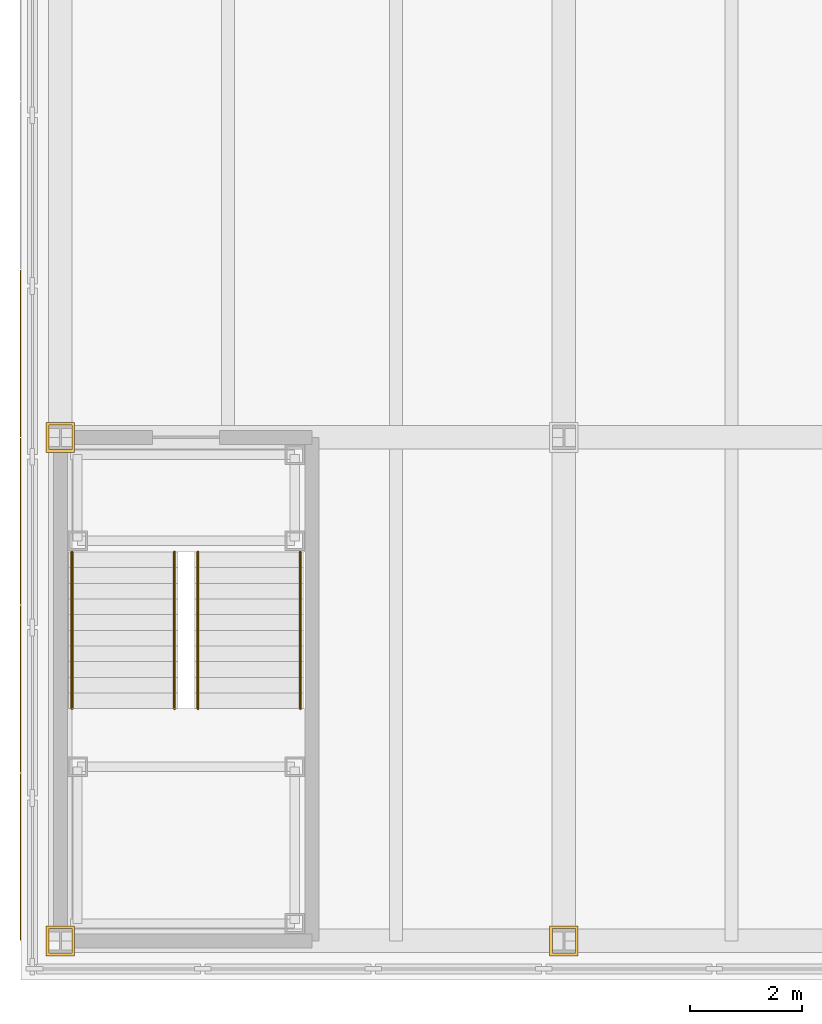
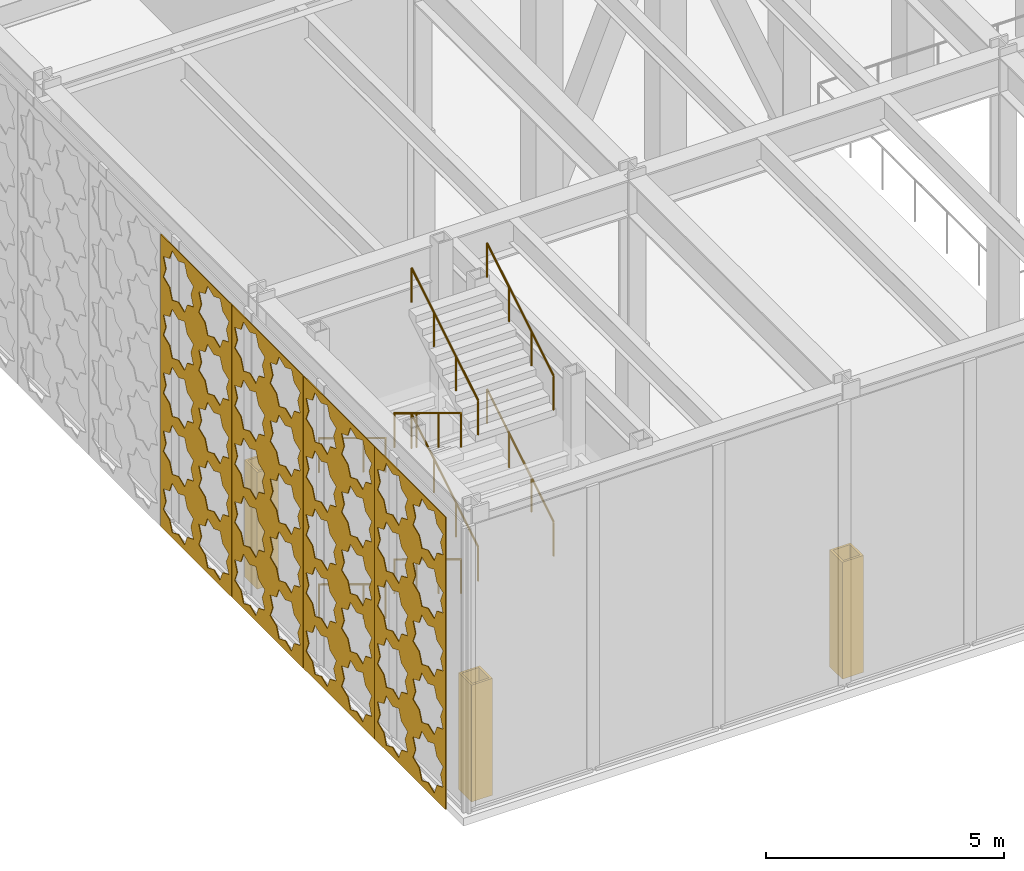
# One storey, part 24 of 34: 8 railings, 4 shading devices, 3 coverings.
"""IFC4 building model written with IfcOpenShell, lengths in metres."""

from ifc_helpers import new_model, si_unit, direction, frame, origin, origin_2d, place, context, subcontext, project, spatial, polyline, circle, outline, extrude, material, layer, layer_set, type_object, element, save


model = new_model("IFC4")

# Units and contexts
model_context = context("Model", 3, precision=1e-05, world=origin(), true_north=direction((0.0, 1.0)))
body_context = subcontext(model_context, "Body", "Model", "MODEL_VIEW")
ifc_project = project(units=[si_unit("LENGTHUNIT", "METRE"), si_unit("AREAUNIT", "SQUARE_METRE"), si_unit("VOLUMEUNIT", "CUBIC_METRE"), si_unit("PLANEANGLEUNIT", "RADIAN"), si_unit("MASSUNIT", "GRAM", prefix="KILO")], contexts=[model_context])

# Site, building, storey
site_placement = place(None, origin())
site = spatial("IfcSite", under=ifc_project, at=site_placement, CompositionType="ELEMENT")
building_placement = place(site_placement, origin())
building = spatial("IfcBuilding", under=site, at=building_placement, Name="Chuquiago Exchange Tower", CompositionType="ELEMENT")
storey_placement = place(building_placement, frame((0.0, 0.0, 6.0)))
storey = spatial("IfcBuildingStorey", under=building, at=storey_placement, Name="L01", CompositionType="ELEMENT", Elevation=6.0)

# Coverings
ifc_material_1 = material(Name="Pale metal sheet casing on rails", Category="aluminium")
ifc_layer_1 = layer(ifc_material_1, 0.050048828125)
ifc_layer_set_1 = layer_set([ifc_layer_1], Name="CS1 column casing 50")
covering_type = type_object("IfcCoveringType", Name="CS1 column casing 50", PredefinedType="CLADDING", material=ifc_layer_set_1)
covering_1_placement = place(storey_placement, origin())
element("IfcCovering", 1, at=covering_1_placement, inside=storey, type_object=covering_type, Name="Column casing L01", PredefinedType="CLADDING", context=body_context, shape_type="SweptSolid", body=[
    extrude(outline(polyline([(-9.255615234375, -18.26708984375), (-8.744384765625, -18.26708984375), (-8.744384765625, -17.73291015625), (-9.255615234375, -17.73291015625), (-9.255615234375, -18.26708984375)]), holes=[polyline([(-9.205810546875, -18.21728515625), (-9.205810546875, -17.78271484375), (-8.794189453125, -17.78271484375), (-8.794189453125, -18.21728515625), (-9.205810546875, -18.21728515625)])]), origin(), (0.0, 0.0, 1.0), 3.0),
])
covering_2_placement = place(storey_placement, origin())
element("IfcCovering", 2, at=covering_2_placement, inside=storey, type_object=covering_type, Name="Column casing L01", PredefinedType="CLADDING", context=body_context, shape_type="SweptSolid", body=[
    extrude(outline(polyline([(-9.255615234375, -9.26708984375), (-8.744384765625, -9.26708984375), (-8.744384765625, -8.73291015625), (-9.255615234375, -8.73291015625), (-9.255615234375, -9.26708984375)]), holes=[polyline([(-9.205810546875, -9.21728515625), (-9.205810546875, -8.78271484375), (-8.794189453125, -8.78271484375), (-8.794189453125, -9.21728515625), (-9.205810546875, -9.21728515625)])]), origin(), (0.0, 0.0, 1.0), 3.0),
])
covering_3_placement = place(storey_placement, origin())
element("IfcCovering", 3, at=covering_3_placement, inside=storey, type_object=covering_type, Name="Column casing L01", PredefinedType="CLADDING", context=body_context, shape_type="SweptSolid", body=[
    extrude(outline(polyline([(-0.255615234375, -18.26708984375), (0.255615234375, -18.26708984375), (0.255615234375, -17.73291015625), (-0.255615234375, -17.73291015625), (-0.255615234375, -18.26708984375)]), holes=[polyline([(-0.205810546875, -18.21728515625), (-0.205810546875, -17.78271484375), (0.205810546875, -17.78271484375), (0.205810546875, -18.21728515625), (-0.205810546875, -18.21728515625)])]), origin(), (0.0, 0.0, 1.0), 3.0),
])

# Railings
ifc_material_2 = material(Name="Pale metal handrail", Category="steel")
railing_type = type_object("IfcRailingType", Name="HR1 handrail 900", PredefinedType="HANDRAIL", material=ifc_material_2)
for number, where, name in (
    (4, (-8.7900390625, -11.050048828125, 0.17041015625), "Handrail PS1 L01 flight 1"),
    (5, (-6.9599609375, -11.050048828125, 0.17041015625), "Handrail PS1 L01 flight 1"),
):
    element("IfcRailing", number, at=place(storey_placement, frame(where)), inside=storey, type_object=railing_type, Name=name, PredefinedType="HANDRAIL", context=body_context, shape_type="SweptSolid", body=[
        extrude(circle(Radius=0.02392578125, at=origin_2d()), frame((0.0, 0.0, 0.8759765625), z_axis=(0.0, -0.854169791009, 0.51999420009), x_axis=(1.0, 0.0, 0.0)), (0.0, 0.0, 1.0), 3.278076171875),
        extrude(circle(Radius=0.02099609375, at=origin_2d()), origin(), (0.0, 0.0, 1.0), 0.851806640625),
        extrude(circle(Radius=0.02099609375, at=origin_2d()), frame((0.0, -0.933349609375, 0.568115234375)), (0.0, 0.0, 1.0), 0.851806640625),
        extrude(circle(Radius=0.02099609375, at=origin_2d()), frame((0.0, -1.86669921875, 1.136474609375)), (0.0, 0.0, 1.0), 0.851806640625),
        extrude(circle(Radius=0.02099609375, at=origin_2d()), frame((0.0, -2.800048828125, 1.70458984375)), (0.0, 0.0, 1.0), 0.851806640625),
    ])
for number, where, name in (
    (6, (-4.7099609375, -13.85009765625, 2.04541015625), "Handrail PS1 L01 flight 2"),
    (7, (-6.5400390625, -13.85009765625, 2.04541015625), "Handrail PS1 L01 flight 2"),
):
    element("IfcRailing", number, at=place(storey_placement, frame(where)), inside=storey, type_object=railing_type, Name=name, PredefinedType="HANDRAIL", context=body_context, shape_type="SweptSolid", body=[
        extrude(circle(Radius=0.02392578125, at=origin_2d()), frame((0.0, 0.0, 0.8759765625), z_axis=(0.0, 0.854169791009, 0.51999420009), x_axis=(-1.0, 0.0, 0.0)), (0.0, 0.0, 1.0), 3.278076171875),
        extrude(circle(Radius=0.02099609375, at=origin_2d()), origin(), (0.0, 0.0, 1.0), 0.851806640625),
        extrude(circle(Radius=0.02099609375, at=origin_2d()), frame((0.0, 0.933349609375, 0.568115234375)), (0.0, 0.0, 1.0), 0.851806640625),
        extrude(circle(Radius=0.02099609375, at=origin_2d()), frame((0.0, 1.86669921875, 1.136474609375)), (0.0, 0.0, 1.0), 0.851806640625),
        extrude(circle(Radius=0.02099609375, at=origin_2d()), frame((0.0, 2.800048828125, 1.70458984375)), (0.0, 0.0, 1.0), 0.851806640625),
    ])
for number, where, name in (
    (8, (-8.7900390625, -11.050048828125, 3.92041015625), "Handrail PS1 L01 flight 3"),
    (9, (-6.9599609375, -11.050048828125, 3.92041015625), "Handrail PS1 L01 flight 3"),
):
    element("IfcRailing", number, at=place(storey_placement, frame(where)), inside=storey, type_object=railing_type, Name=name, PredefinedType="HANDRAIL", context=body_context, shape_type="SweptSolid", body=[
        extrude(circle(Radius=0.02392578125, at=origin_2d()), frame((0.0, 0.0, 0.8759765625), z_axis=(0.0, -0.854169791009, 0.51999420009), x_axis=(1.0, 0.0, 0.0)), (0.0, 0.0, 1.0), 3.278076171875),
        extrude(circle(Radius=0.02099609375, at=origin_2d()), origin(), (0.0, 0.0, 1.0), 0.851806640625),
        extrude(circle(Radius=0.02099609375, at=origin_2d()), frame((0.0, -0.933349609375, 0.568115234375)), (0.0, 0.0, 1.0), 0.851806640625),
        extrude(circle(Radius=0.02099609375, at=origin_2d()), frame((0.0, -1.86669921875, 1.136474609375)), (0.0, 0.0, 1.0), 0.851806640625),
        extrude(circle(Radius=0.02099609375, at=origin_2d()), frame((0.0, -2.800048828125, 1.70458984375)), (0.0, 0.0, 1.0), 0.851806640625),
    ])
for number, where, name in (
    (10, (-4.7099609375, -13.85009765625, 5.79541015625), "Handrail PS1 L01 flight 4"),
    (11, (-6.5400390625, -13.85009765625, 5.79541015625), "Handrail PS1 L01 flight 4"),
):
    element("IfcRailing", number, at=place(storey_placement, frame(where)), inside=storey, type_object=railing_type, Name=name, PredefinedType="HANDRAIL", context=body_context, shape_type="SweptSolid", body=[
        extrude(circle(Radius=0.02392578125, at=origin_2d()), frame((0.0, 0.0, 0.8759765625), z_axis=(0.0, 0.854169791009, 0.51999420009), x_axis=(-1.0, 0.0, 0.0)), (0.0, 0.0, 1.0), 3.278076171875),
        extrude(circle(Radius=0.02099609375, at=origin_2d()), origin(), (0.0, 0.0, 1.0), 0.851806640625),
        extrude(circle(Radius=0.02099609375, at=origin_2d()), frame((0.0, 0.933349609375, 0.568115234375)), (0.0, 0.0, 1.0), 0.851806640625),
        extrude(circle(Radius=0.02099609375, at=origin_2d()), frame((0.0, 1.86669921875, 1.136474609375)), (0.0, 0.0, 1.0), 0.851806640625),
        extrude(circle(Radius=0.02099609375, at=origin_2d()), frame((0.0, 2.800048828125, 1.70458984375)), (0.0, 0.0, 1.0), 0.851806640625),
    ])

# Shading devices
ifc_material_3 = material(Name="Pale metal, perforated in an eight-point star pattern", Category="aluminium")
ifc_layer_2 = layer(ifc_material_3, 0.02001953125)
ifc_layer_set_2 = layer_set([ifc_layer_2], Name="SC1 mashrabiya screen 20")
shading_device_type = type_object("IfcShadingDeviceType", Name="SC1 mashrabiya screen 20", PredefinedType="SHUTTER", material=ifc_layer_set_2)
shading_device_1_placement = place(storey_placement, frame((-9.699951171875, -15.010009765625, -0.199951171875), z_axis=(0.0, 0.0, 1.0), x_axis=(0.0, -1.0, 0.0)))
element("IfcShadingDevice", 12, at=shading_device_1_placement, inside=storey, type_object=shading_device_type, Name="Mashrabiya screen L01 W 1", PredefinedType="SHUTTER", context=body_context, shape_type="SweptSolid", body=[
    extrude(outline(polyline([(0.0, 0.0), (2.97998046875, 0.0), (2.97998046875, 7.5), (0.0, 7.5), (0.0, 0.0)]), holes=[polyline([(1.26953125, 0.77001953125), (1.378173828125, 1.0322265625), (1.115966796875, 1.140869140625), (1.00732421875, 1.403076171875), (0.7451171875, 1.29443359375), (0.482666015625, 1.403076171875), (0.3740234375, 1.140869140625), (0.11181640625, 1.0322265625), (0.220458984375, 0.77001953125), (0.11181640625, 0.507568359375), (0.3740234375, 0.39892578125), (0.482666015625, 0.13671875), (0.7451171875, 0.245361328125), (1.00732421875, 0.13671875), (1.115966796875, 0.39892578125), (1.378173828125, 0.507568359375), (1.26953125, 0.77001953125)]), polyline([(2.759521484375, 0.77001953125), (2.8681640625, 1.0322265625), (2.60595703125, 1.140869140625), (2.497314453125, 1.403076171875), (2.235107421875, 1.29443359375), (1.97265625, 1.403076171875), (1.864013671875, 1.140869140625), (1.601806640625, 1.0322265625), (1.71044921875, 0.77001953125), (1.601806640625, 0.507568359375), (1.864013671875, 0.39892578125), (1.97265625, 0.13671875), (2.235107421875, 0.245361328125), (2.497314453125, 0.13671875), (2.60595703125, 0.39892578125), (2.8681640625, 0.507568359375), (2.759521484375, 0.77001953125)]), polyline([(1.26953125, 2.260009765625), (1.378173828125, 2.522216796875), (1.115966796875, 2.630859375), (1.00732421875, 2.89306640625), (0.7451171875, 2.78466796875), (0.482666015625, 2.89306640625), (0.3740234375, 2.630859375), (0.11181640625, 2.522216796875), (0.220458984375, 2.260009765625), (0.11181640625, 1.99755859375), (0.3740234375, 1.888916015625), (0.482666015625, 1.626708984375), (0.7451171875, 1.7353515625), (1.00732421875, 1.626708984375), (1.115966796875, 1.888916015625), (1.378173828125, 1.99755859375), (1.26953125, 2.260009765625)]), polyline([(2.759521484375, 2.260009765625), (2.8681640625, 2.522216796875), (2.60595703125, 2.630859375), (2.497314453125, 2.89306640625), (2.235107421875, 2.78466796875), (1.97265625, 2.89306640625), (1.864013671875, 2.630859375), (1.601806640625, 2.522216796875), (1.71044921875, 2.260009765625), (1.601806640625, 1.99755859375), (1.864013671875, 1.888916015625), (1.97265625, 1.626708984375), (2.235107421875, 1.7353515625), (2.497314453125, 1.626708984375), (2.60595703125, 1.888916015625), (2.8681640625, 1.99755859375), (2.759521484375, 2.260009765625)]), polyline([(1.26953125, 3.75), (1.378173828125, 4.01220703125), (1.115966796875, 4.120849609375), (1.00732421875, 4.383056640625), (0.7451171875, 4.274658203125), (0.482666015625, 4.383056640625), (0.3740234375, 4.120849609375), (0.11181640625, 4.01220703125), (0.220458984375, 3.75), (0.11181640625, 3.487548828125), (0.3740234375, 3.37890625), (0.482666015625, 3.11669921875), (0.7451171875, 3.225341796875), (1.00732421875, 3.11669921875), (1.115966796875, 3.37890625), (1.378173828125, 3.487548828125), (1.26953125, 3.75)]), polyline([(2.759521484375, 3.75), (2.8681640625, 4.01220703125), (2.60595703125, 4.120849609375), (2.497314453125, 4.383056640625), (2.235107421875, 4.274658203125), (1.97265625, 4.383056640625), (1.864013671875, 4.120849609375), (1.601806640625, 4.01220703125), (1.71044921875, 3.75), (1.601806640625, 3.487548828125), (1.864013671875, 3.37890625), (1.97265625, 3.11669921875), (2.235107421875, 3.225341796875), (2.497314453125, 3.11669921875), (2.60595703125, 3.37890625), (2.8681640625, 3.487548828125), (2.759521484375, 3.75)]), polyline([(1.26953125, 5.239990234375), (1.378173828125, 5.502197265625), (1.115966796875, 5.61083984375), (1.00732421875, 5.873046875), (0.7451171875, 5.7646484375), (0.482666015625, 5.873046875), (0.3740234375, 5.61083984375), (0.11181640625, 5.502197265625), (0.220458984375, 5.239990234375), (0.11181640625, 4.9775390625), (0.3740234375, 4.868896484375), (0.482666015625, 4.606689453125), (0.7451171875, 4.71533203125), (1.00732421875, 4.606689453125), (1.115966796875, 4.868896484375), (1.378173828125, 4.9775390625), (1.26953125, 5.239990234375)]), polyline([(2.759521484375, 5.239990234375), (2.8681640625, 5.502197265625), (2.60595703125, 5.61083984375), (2.497314453125, 5.873046875), (2.235107421875, 5.7646484375), (1.97265625, 5.873046875), (1.864013671875, 5.61083984375), (1.601806640625, 5.502197265625), (1.71044921875, 5.239990234375), (1.601806640625, 4.9775390625), (1.864013671875, 4.868896484375), (1.97265625, 4.606689453125), (2.235107421875, 4.71533203125), (2.497314453125, 4.606689453125), (2.60595703125, 4.868896484375), (2.8681640625, 4.9775390625), (2.759521484375, 5.239990234375)]), polyline([(1.26953125, 6.72998046875), (1.378173828125, 6.9921875), (1.115966796875, 7.100830078125), (1.00732421875, 7.363037109375), (0.7451171875, 7.254638671875), (0.482666015625, 7.363037109375), (0.3740234375, 7.100830078125), (0.11181640625, 6.9921875), (0.220458984375, 6.72998046875), (0.11181640625, 6.467529296875), (0.3740234375, 6.35888671875), (0.482666015625, 6.0966796875), (0.7451171875, 6.205322265625), (1.00732421875, 6.0966796875), (1.115966796875, 6.35888671875), (1.378173828125, 6.467529296875), (1.26953125, 6.72998046875)]), polyline([(2.759521484375, 6.72998046875), (2.8681640625, 6.9921875), (2.60595703125, 7.100830078125), (2.497314453125, 7.363037109375), (2.235107421875, 7.254638671875), (1.97265625, 7.363037109375), (1.864013671875, 7.100830078125), (1.601806640625, 6.9921875), (1.71044921875, 6.72998046875), (1.601806640625, 6.467529296875), (1.864013671875, 6.35888671875), (1.97265625, 6.0966796875), (2.235107421875, 6.205322265625), (2.497314453125, 6.0966796875), (2.60595703125, 6.35888671875), (2.8681640625, 6.467529296875), (2.759521484375, 6.72998046875)])]), frame((0.0, 0.0, 0.0), z_axis=(0.0, -1.0, 0.0), x_axis=(1.0, 0.0, 0.0)), (0.0, 0.0, 1.0), 0.02001953125),
])
shading_device_2_placement = place(storey_placement, frame((-9.699951171875, -12.010009765625, -0.199951171875), z_axis=(0.0, 0.0, 1.0), x_axis=(0.0, -1.0, 0.0)))
element("IfcShadingDevice", 13, at=shading_device_2_placement, inside=storey, type_object=shading_device_type, Name="Mashrabiya screen L01 W 2", PredefinedType="SHUTTER", context=body_context, shape_type="SweptSolid", body=[
    extrude(outline(polyline([(0.0, 0.0), (2.97998046875, 0.0), (2.97998046875, 7.5), (0.0, 7.5), (0.0, 0.0)]), holes=[polyline([(1.26953125, 0.77001953125), (1.378173828125, 1.0322265625), (1.115966796875, 1.140869140625), (1.00732421875, 1.403076171875), (0.7451171875, 1.29443359375), (0.482666015625, 1.403076171875), (0.3740234375, 1.140869140625), (0.11181640625, 1.0322265625), (0.220458984375, 0.77001953125), (0.11181640625, 0.507568359375), (0.3740234375, 0.39892578125), (0.482666015625, 0.13671875), (0.7451171875, 0.245361328125), (1.00732421875, 0.13671875), (1.115966796875, 0.39892578125), (1.378173828125, 0.507568359375), (1.26953125, 0.77001953125)]), polyline([(2.759521484375, 0.77001953125), (2.8681640625, 1.0322265625), (2.60595703125, 1.140869140625), (2.497314453125, 1.403076171875), (2.235107421875, 1.29443359375), (1.97265625, 1.403076171875), (1.864013671875, 1.140869140625), (1.601806640625, 1.0322265625), (1.71044921875, 0.77001953125), (1.601806640625, 0.507568359375), (1.864013671875, 0.39892578125), (1.97265625, 0.13671875), (2.235107421875, 0.245361328125), (2.497314453125, 0.13671875), (2.60595703125, 0.39892578125), (2.8681640625, 0.507568359375), (2.759521484375, 0.77001953125)]), polyline([(1.26953125, 2.260009765625), (1.378173828125, 2.522216796875), (1.115966796875, 2.630859375), (1.00732421875, 2.89306640625), (0.7451171875, 2.78466796875), (0.482666015625, 2.89306640625), (0.3740234375, 2.630859375), (0.11181640625, 2.522216796875), (0.220458984375, 2.260009765625), (0.11181640625, 1.99755859375), (0.3740234375, 1.888916015625), (0.482666015625, 1.626708984375), (0.7451171875, 1.7353515625), (1.00732421875, 1.626708984375), (1.115966796875, 1.888916015625), (1.378173828125, 1.99755859375), (1.26953125, 2.260009765625)]), polyline([(2.759521484375, 2.260009765625), (2.8681640625, 2.522216796875), (2.60595703125, 2.630859375), (2.497314453125, 2.89306640625), (2.235107421875, 2.78466796875), (1.97265625, 2.89306640625), (1.864013671875, 2.630859375), (1.601806640625, 2.522216796875), (1.71044921875, 2.260009765625), (1.601806640625, 1.99755859375), (1.864013671875, 1.888916015625), (1.97265625, 1.626708984375), (2.235107421875, 1.7353515625), (2.497314453125, 1.626708984375), (2.60595703125, 1.888916015625), (2.8681640625, 1.99755859375), (2.759521484375, 2.260009765625)]), polyline([(1.26953125, 3.75), (1.378173828125, 4.01220703125), (1.115966796875, 4.120849609375), (1.00732421875, 4.383056640625), (0.7451171875, 4.274658203125), (0.482666015625, 4.383056640625), (0.3740234375, 4.120849609375), (0.11181640625, 4.01220703125), (0.220458984375, 3.75), (0.11181640625, 3.487548828125), (0.3740234375, 3.37890625), (0.482666015625, 3.11669921875), (0.7451171875, 3.225341796875), (1.00732421875, 3.11669921875), (1.115966796875, 3.37890625), (1.378173828125, 3.487548828125), (1.26953125, 3.75)]), polyline([(2.759521484375, 3.75), (2.8681640625, 4.01220703125), (2.60595703125, 4.120849609375), (2.497314453125, 4.383056640625), (2.235107421875, 4.274658203125), (1.97265625, 4.383056640625), (1.864013671875, 4.120849609375), (1.601806640625, 4.01220703125), (1.71044921875, 3.75), (1.601806640625, 3.487548828125), (1.864013671875, 3.37890625), (1.97265625, 3.11669921875), (2.235107421875, 3.225341796875), (2.497314453125, 3.11669921875), (2.60595703125, 3.37890625), (2.8681640625, 3.487548828125), (2.759521484375, 3.75)]), polyline([(1.26953125, 5.239990234375), (1.378173828125, 5.502197265625), (1.115966796875, 5.61083984375), (1.00732421875, 5.873046875), (0.7451171875, 5.7646484375), (0.482666015625, 5.873046875), (0.3740234375, 5.61083984375), (0.11181640625, 5.502197265625), (0.220458984375, 5.239990234375), (0.11181640625, 4.9775390625), (0.3740234375, 4.868896484375), (0.482666015625, 4.606689453125), (0.7451171875, 4.71533203125), (1.00732421875, 4.606689453125), (1.115966796875, 4.868896484375), (1.378173828125, 4.9775390625), (1.26953125, 5.239990234375)]), polyline([(2.759521484375, 5.239990234375), (2.8681640625, 5.502197265625), (2.60595703125, 5.61083984375), (2.497314453125, 5.873046875), (2.235107421875, 5.7646484375), (1.97265625, 5.873046875), (1.864013671875, 5.61083984375), (1.601806640625, 5.502197265625), (1.71044921875, 5.239990234375), (1.601806640625, 4.9775390625), (1.864013671875, 4.868896484375), (1.97265625, 4.606689453125), (2.235107421875, 4.71533203125), (2.497314453125, 4.606689453125), (2.60595703125, 4.868896484375), (2.8681640625, 4.9775390625), (2.759521484375, 5.239990234375)]), polyline([(1.26953125, 6.72998046875), (1.378173828125, 6.9921875), (1.115966796875, 7.100830078125), (1.00732421875, 7.363037109375), (0.7451171875, 7.254638671875), (0.482666015625, 7.363037109375), (0.3740234375, 7.100830078125), (0.11181640625, 6.9921875), (0.220458984375, 6.72998046875), (0.11181640625, 6.467529296875), (0.3740234375, 6.35888671875), (0.482666015625, 6.0966796875), (0.7451171875, 6.205322265625), (1.00732421875, 6.0966796875), (1.115966796875, 6.35888671875), (1.378173828125, 6.467529296875), (1.26953125, 6.72998046875)]), polyline([(2.759521484375, 6.72998046875), (2.8681640625, 6.9921875), (2.60595703125, 7.100830078125), (2.497314453125, 7.363037109375), (2.235107421875, 7.254638671875), (1.97265625, 7.363037109375), (1.864013671875, 7.100830078125), (1.601806640625, 6.9921875), (1.71044921875, 6.72998046875), (1.601806640625, 6.467529296875), (1.864013671875, 6.35888671875), (1.97265625, 6.0966796875), (2.235107421875, 6.205322265625), (2.497314453125, 6.0966796875), (2.60595703125, 6.35888671875), (2.8681640625, 6.467529296875), (2.759521484375, 6.72998046875)])]), frame((0.0, 0.0, 0.0), z_axis=(0.0, -1.0, 0.0), x_axis=(1.0, 0.0, 0.0)), (0.0, 0.0, 1.0), 0.02001953125),
])
shading_device_3_placement = place(storey_placement, frame((-9.699951171875, -9.010009765625, -0.199951171875), z_axis=(0.0, 0.0, 1.0), x_axis=(0.0, -1.0, 0.0)))
element("IfcShadingDevice", 14, at=shading_device_3_placement, inside=storey, type_object=shading_device_type, Name="Mashrabiya screen L01 W 3", PredefinedType="SHUTTER", context=body_context, shape_type="SweptSolid", body=[
    extrude(outline(polyline([(0.0, 0.0), (2.97998046875, 0.0), (2.97998046875, 7.5), (0.0, 7.5), (0.0, 0.0)]), holes=[polyline([(1.26953125, 0.77001953125), (1.378173828125, 1.0322265625), (1.115966796875, 1.140869140625), (1.00732421875, 1.403076171875), (0.7451171875, 1.29443359375), (0.482666015625, 1.403076171875), (0.3740234375, 1.140869140625), (0.11181640625, 1.0322265625), (0.220458984375, 0.77001953125), (0.11181640625, 0.507568359375), (0.3740234375, 0.39892578125), (0.482666015625, 0.13671875), (0.7451171875, 0.245361328125), (1.00732421875, 0.13671875), (1.115966796875, 0.39892578125), (1.378173828125, 0.507568359375), (1.26953125, 0.77001953125)]), polyline([(2.759521484375, 0.77001953125), (2.8681640625, 1.0322265625), (2.60595703125, 1.140869140625), (2.497314453125, 1.403076171875), (2.235107421875, 1.29443359375), (1.97265625, 1.403076171875), (1.864013671875, 1.140869140625), (1.601806640625, 1.0322265625), (1.71044921875, 0.77001953125), (1.601806640625, 0.507568359375), (1.864013671875, 0.39892578125), (1.97265625, 0.13671875), (2.235107421875, 0.245361328125), (2.497314453125, 0.13671875), (2.60595703125, 0.39892578125), (2.8681640625, 0.507568359375), (2.759521484375, 0.77001953125)]), polyline([(1.26953125, 2.260009765625), (1.378173828125, 2.522216796875), (1.115966796875, 2.630859375), (1.00732421875, 2.89306640625), (0.7451171875, 2.78466796875), (0.482666015625, 2.89306640625), (0.3740234375, 2.630859375), (0.11181640625, 2.522216796875), (0.220458984375, 2.260009765625), (0.11181640625, 1.99755859375), (0.3740234375, 1.888916015625), (0.482666015625, 1.626708984375), (0.7451171875, 1.7353515625), (1.00732421875, 1.626708984375), (1.115966796875, 1.888916015625), (1.378173828125, 1.99755859375), (1.26953125, 2.260009765625)]), polyline([(2.759521484375, 2.260009765625), (2.8681640625, 2.522216796875), (2.60595703125, 2.630859375), (2.497314453125, 2.89306640625), (2.235107421875, 2.78466796875), (1.97265625, 2.89306640625), (1.864013671875, 2.630859375), (1.601806640625, 2.522216796875), (1.71044921875, 2.260009765625), (1.601806640625, 1.99755859375), (1.864013671875, 1.888916015625), (1.97265625, 1.626708984375), (2.235107421875, 1.7353515625), (2.497314453125, 1.626708984375), (2.60595703125, 1.888916015625), (2.8681640625, 1.99755859375), (2.759521484375, 2.260009765625)]), polyline([(1.26953125, 3.75), (1.378173828125, 4.01220703125), (1.115966796875, 4.120849609375), (1.00732421875, 4.383056640625), (0.7451171875, 4.274658203125), (0.482666015625, 4.383056640625), (0.3740234375, 4.120849609375), (0.11181640625, 4.01220703125), (0.220458984375, 3.75), (0.11181640625, 3.487548828125), (0.3740234375, 3.37890625), (0.482666015625, 3.11669921875), (0.7451171875, 3.225341796875), (1.00732421875, 3.11669921875), (1.115966796875, 3.37890625), (1.378173828125, 3.487548828125), (1.26953125, 3.75)]), polyline([(2.759521484375, 3.75), (2.8681640625, 4.01220703125), (2.60595703125, 4.120849609375), (2.497314453125, 4.383056640625), (2.235107421875, 4.274658203125), (1.97265625, 4.383056640625), (1.864013671875, 4.120849609375), (1.601806640625, 4.01220703125), (1.71044921875, 3.75), (1.601806640625, 3.487548828125), (1.864013671875, 3.37890625), (1.97265625, 3.11669921875), (2.235107421875, 3.225341796875), (2.497314453125, 3.11669921875), (2.60595703125, 3.37890625), (2.8681640625, 3.487548828125), (2.759521484375, 3.75)]), polyline([(1.26953125, 5.239990234375), (1.378173828125, 5.502197265625), (1.115966796875, 5.61083984375), (1.00732421875, 5.873046875), (0.7451171875, 5.7646484375), (0.482666015625, 5.873046875), (0.3740234375, 5.61083984375), (0.11181640625, 5.502197265625), (0.220458984375, 5.239990234375), (0.11181640625, 4.9775390625), (0.3740234375, 4.868896484375), (0.482666015625, 4.606689453125), (0.7451171875, 4.71533203125), (1.00732421875, 4.606689453125), (1.115966796875, 4.868896484375), (1.378173828125, 4.9775390625), (1.26953125, 5.239990234375)]), polyline([(2.759521484375, 5.239990234375), (2.8681640625, 5.502197265625), (2.60595703125, 5.61083984375), (2.497314453125, 5.873046875), (2.235107421875, 5.7646484375), (1.97265625, 5.873046875), (1.864013671875, 5.61083984375), (1.601806640625, 5.502197265625), (1.71044921875, 5.239990234375), (1.601806640625, 4.9775390625), (1.864013671875, 4.868896484375), (1.97265625, 4.606689453125), (2.235107421875, 4.71533203125), (2.497314453125, 4.606689453125), (2.60595703125, 4.868896484375), (2.8681640625, 4.9775390625), (2.759521484375, 5.239990234375)]), polyline([(1.26953125, 6.72998046875), (1.378173828125, 6.9921875), (1.115966796875, 7.100830078125), (1.00732421875, 7.363037109375), (0.7451171875, 7.254638671875), (0.482666015625, 7.363037109375), (0.3740234375, 7.100830078125), (0.11181640625, 6.9921875), (0.220458984375, 6.72998046875), (0.11181640625, 6.467529296875), (0.3740234375, 6.35888671875), (0.482666015625, 6.0966796875), (0.7451171875, 6.205322265625), (1.00732421875, 6.0966796875), (1.115966796875, 6.35888671875), (1.378173828125, 6.467529296875), (1.26953125, 6.72998046875)]), polyline([(2.759521484375, 6.72998046875), (2.8681640625, 6.9921875), (2.60595703125, 7.100830078125), (2.497314453125, 7.363037109375), (2.235107421875, 7.254638671875), (1.97265625, 7.363037109375), (1.864013671875, 7.100830078125), (1.601806640625, 6.9921875), (1.71044921875, 6.72998046875), (1.601806640625, 6.467529296875), (1.864013671875, 6.35888671875), (1.97265625, 6.0966796875), (2.235107421875, 6.205322265625), (2.497314453125, 6.0966796875), (2.60595703125, 6.35888671875), (2.8681640625, 6.467529296875), (2.759521484375, 6.72998046875)])]), frame((0.0, 0.0, 0.0), z_axis=(0.0, -1.0, 0.0), x_axis=(1.0, 0.0, 0.0)), (0.0, 0.0, 1.0), 0.02001953125),
])
shading_device_4_placement = place(storey_placement, frame((-9.699951171875, -6.010009765625, -0.199951171875), z_axis=(0.0, 0.0, 1.0), x_axis=(0.0, -1.0, 0.0)))
element("IfcShadingDevice", 15, at=shading_device_4_placement, inside=storey, type_object=shading_device_type, Name="Mashrabiya screen L01 W 4", PredefinedType="SHUTTER", context=body_context, shape_type="SweptSolid", body=[
    extrude(outline(polyline([(0.0, 0.0), (2.97998046875, 0.0), (2.97998046875, 7.5), (0.0, 7.5), (0.0, 0.0)]), holes=[polyline([(1.26953125, 0.77001953125), (1.378173828125, 1.0322265625), (1.115966796875, 1.140869140625), (1.00732421875, 1.403076171875), (0.7451171875, 1.29443359375), (0.482666015625, 1.403076171875), (0.3740234375, 1.140869140625), (0.11181640625, 1.0322265625), (0.220458984375, 0.77001953125), (0.11181640625, 0.507568359375), (0.3740234375, 0.39892578125), (0.482666015625, 0.13671875), (0.7451171875, 0.245361328125), (1.00732421875, 0.13671875), (1.115966796875, 0.39892578125), (1.378173828125, 0.507568359375), (1.26953125, 0.77001953125)]), polyline([(2.759521484375, 0.77001953125), (2.8681640625, 1.0322265625), (2.60595703125, 1.140869140625), (2.497314453125, 1.403076171875), (2.235107421875, 1.29443359375), (1.97265625, 1.403076171875), (1.864013671875, 1.140869140625), (1.601806640625, 1.0322265625), (1.71044921875, 0.77001953125), (1.601806640625, 0.507568359375), (1.864013671875, 0.39892578125), (1.97265625, 0.13671875), (2.235107421875, 0.245361328125), (2.497314453125, 0.13671875), (2.60595703125, 0.39892578125), (2.8681640625, 0.507568359375), (2.759521484375, 0.77001953125)]), polyline([(1.26953125, 2.260009765625), (1.378173828125, 2.522216796875), (1.115966796875, 2.630859375), (1.00732421875, 2.89306640625), (0.7451171875, 2.78466796875), (0.482666015625, 2.89306640625), (0.3740234375, 2.630859375), (0.11181640625, 2.522216796875), (0.220458984375, 2.260009765625), (0.11181640625, 1.99755859375), (0.3740234375, 1.888916015625), (0.482666015625, 1.626708984375), (0.7451171875, 1.7353515625), (1.00732421875, 1.626708984375), (1.115966796875, 1.888916015625), (1.378173828125, 1.99755859375), (1.26953125, 2.260009765625)]), polyline([(2.759521484375, 2.260009765625), (2.8681640625, 2.522216796875), (2.60595703125, 2.630859375), (2.497314453125, 2.89306640625), (2.235107421875, 2.78466796875), (1.97265625, 2.89306640625), (1.864013671875, 2.630859375), (1.601806640625, 2.522216796875), (1.71044921875, 2.260009765625), (1.601806640625, 1.99755859375), (1.864013671875, 1.888916015625), (1.97265625, 1.626708984375), (2.235107421875, 1.7353515625), (2.497314453125, 1.626708984375), (2.60595703125, 1.888916015625), (2.8681640625, 1.99755859375), (2.759521484375, 2.260009765625)]), polyline([(1.26953125, 3.75), (1.378173828125, 4.01220703125), (1.115966796875, 4.120849609375), (1.00732421875, 4.383056640625), (0.7451171875, 4.274658203125), (0.482666015625, 4.383056640625), (0.3740234375, 4.120849609375), (0.11181640625, 4.01220703125), (0.220458984375, 3.75), (0.11181640625, 3.487548828125), (0.3740234375, 3.37890625), (0.482666015625, 3.11669921875), (0.7451171875, 3.225341796875), (1.00732421875, 3.11669921875), (1.115966796875, 3.37890625), (1.378173828125, 3.487548828125), (1.26953125, 3.75)]), polyline([(2.759521484375, 3.75), (2.8681640625, 4.01220703125), (2.60595703125, 4.120849609375), (2.497314453125, 4.383056640625), (2.235107421875, 4.274658203125), (1.97265625, 4.383056640625), (1.864013671875, 4.120849609375), (1.601806640625, 4.01220703125), (1.71044921875, 3.75), (1.601806640625, 3.487548828125), (1.864013671875, 3.37890625), (1.97265625, 3.11669921875), (2.235107421875, 3.225341796875), (2.497314453125, 3.11669921875), (2.60595703125, 3.37890625), (2.8681640625, 3.487548828125), (2.759521484375, 3.75)]), polyline([(1.26953125, 5.239990234375), (1.378173828125, 5.502197265625), (1.115966796875, 5.61083984375), (1.00732421875, 5.873046875), (0.7451171875, 5.7646484375), (0.482666015625, 5.873046875), (0.3740234375, 5.61083984375), (0.11181640625, 5.502197265625), (0.220458984375, 5.239990234375), (0.11181640625, 4.9775390625), (0.3740234375, 4.868896484375), (0.482666015625, 4.606689453125), (0.7451171875, 4.71533203125), (1.00732421875, 4.606689453125), (1.115966796875, 4.868896484375), (1.378173828125, 4.9775390625), (1.26953125, 5.239990234375)]), polyline([(2.759521484375, 5.239990234375), (2.8681640625, 5.502197265625), (2.60595703125, 5.61083984375), (2.497314453125, 5.873046875), (2.235107421875, 5.7646484375), (1.97265625, 5.873046875), (1.864013671875, 5.61083984375), (1.601806640625, 5.502197265625), (1.71044921875, 5.239990234375), (1.601806640625, 4.9775390625), (1.864013671875, 4.868896484375), (1.97265625, 4.606689453125), (2.235107421875, 4.71533203125), (2.497314453125, 4.606689453125), (2.60595703125, 4.868896484375), (2.8681640625, 4.9775390625), (2.759521484375, 5.239990234375)]), polyline([(1.26953125, 6.72998046875), (1.378173828125, 6.9921875), (1.115966796875, 7.100830078125), (1.00732421875, 7.363037109375), (0.7451171875, 7.254638671875), (0.482666015625, 7.363037109375), (0.3740234375, 7.100830078125), (0.11181640625, 6.9921875), (0.220458984375, 6.72998046875), (0.11181640625, 6.467529296875), (0.3740234375, 6.35888671875), (0.482666015625, 6.0966796875), (0.7451171875, 6.205322265625), (1.00732421875, 6.0966796875), (1.115966796875, 6.35888671875), (1.378173828125, 6.467529296875), (1.26953125, 6.72998046875)]), polyline([(2.759521484375, 6.72998046875), (2.8681640625, 6.9921875), (2.60595703125, 7.100830078125), (2.497314453125, 7.363037109375), (2.235107421875, 7.254638671875), (1.97265625, 7.363037109375), (1.864013671875, 7.100830078125), (1.601806640625, 6.9921875), (1.71044921875, 6.72998046875), (1.601806640625, 6.467529296875), (1.864013671875, 6.35888671875), (1.97265625, 6.0966796875), (2.235107421875, 6.205322265625), (2.497314453125, 6.0966796875), (2.60595703125, 6.35888671875), (2.8681640625, 6.467529296875), (2.759521484375, 6.72998046875)])]), frame((0.0, 0.0, 0.0), z_axis=(0.0, -1.0, 0.0), x_axis=(1.0, 0.0, 0.0)), (0.0, 0.0, 1.0), 0.02001953125),
])

save(model, "model.ifc")
